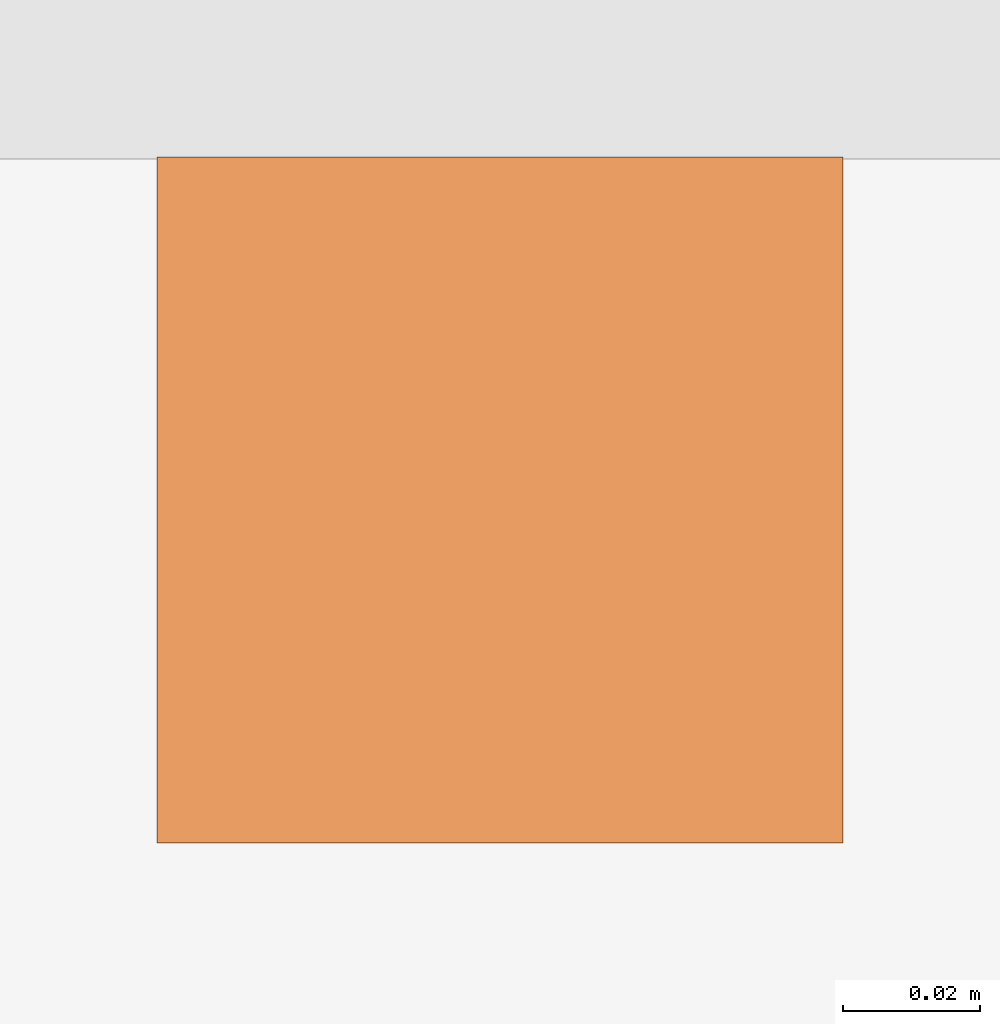
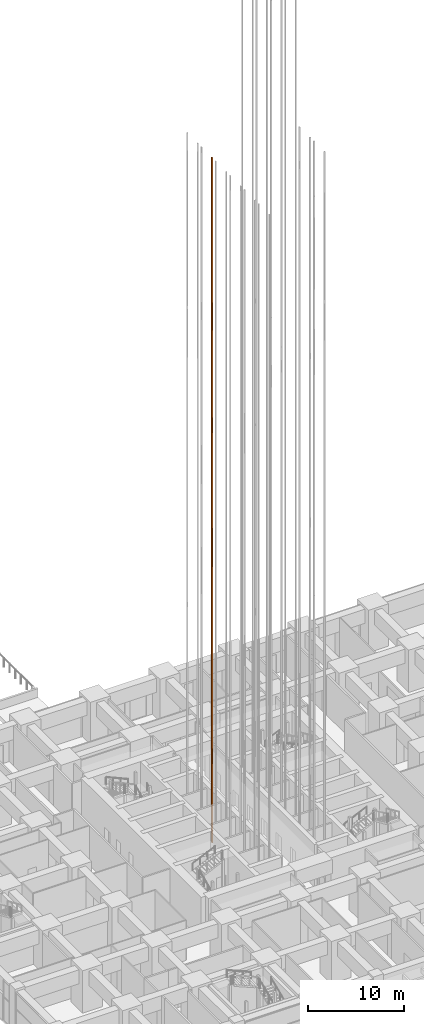
# One storey, part 70 of 81: 1 proxy.
"""IFC4 building model written with IfcOpenShell, lengths in metres."""

from ifc_helpers import new_model, si_unit, direction, frame, origin, origin_2d, place, context, subcontext, project, spatial, rectangle, extrude, material, type_object, element, save


model = new_model("IFC4")

# Units and contexts
model_context = context("Model", 3, precision=1e-05, world=origin(), true_north=direction((0.0, 1.0)))
body_context = subcontext(model_context, "Body", "Model", "MODEL_VIEW")
ifc_project = project(units=[si_unit("LENGTHUNIT", "METRE"), si_unit("AREAUNIT", "SQUARE_METRE"), si_unit("VOLUMEUNIT", "CUBIC_METRE"), si_unit("PLANEANGLEUNIT", "RADIAN"), si_unit("MASSUNIT", "GRAM", prefix="KILO")], contexts=[model_context])

# Site, building, storey
site_placement = place(None, origin())
site = spatial("IfcSite", under=ifc_project, at=site_placement, CompositionType="ELEMENT")
building_placement = place(site_placement, origin())
building = spatial("IfcBuilding", under=site, at=building_placement, Name="Rekha Terrace Tower", CompositionType="ELEMENT")
storey_placement = place(building_placement, origin())
storey = spatial("IfcBuildingStorey", under=building, at=storey_placement, Name="L00", CompositionType="ELEMENT", Elevation=0.0)

# Proxy
ifc_material = material(Name="Steel guide rail", Category="steel")
building_element_proxy_type = type_object("IfcBuildingElementProxyType", Name="LR1 100 lift guide rail", PredefinedType="ELEMENT", material=ifc_material)
proxy_placement = place(storey_placement, frame((34.5, 35.800048828125, 0.0), z_axis=(0.0, 0.0, 1.0), x_axis=(1.0, 0.0, 0.0)))
element("IfcBuildingElementProxy", 1, at=proxy_placement, inside=storey, type_object=building_element_proxy_type, Name="Lift A5 guide rail 1", PredefinedType="ELEMENT", context=body_context, shape_type="SweptSolid", body=[
    extrude(rectangle(XDim=0.10009765625, YDim=0.10009765625, at=origin_2d()), origin(), (0.0, 0.0, 1.0), 87.5),
])

save(model, "model.ifc")
